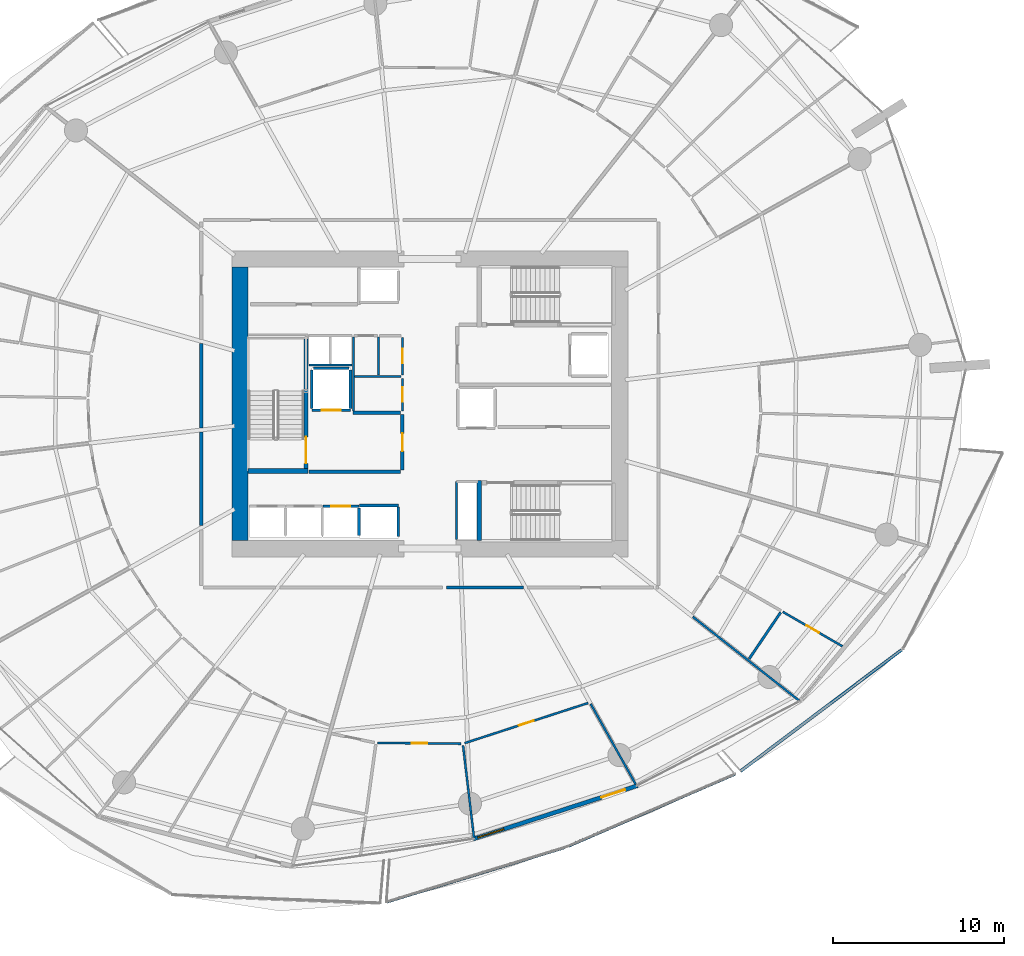
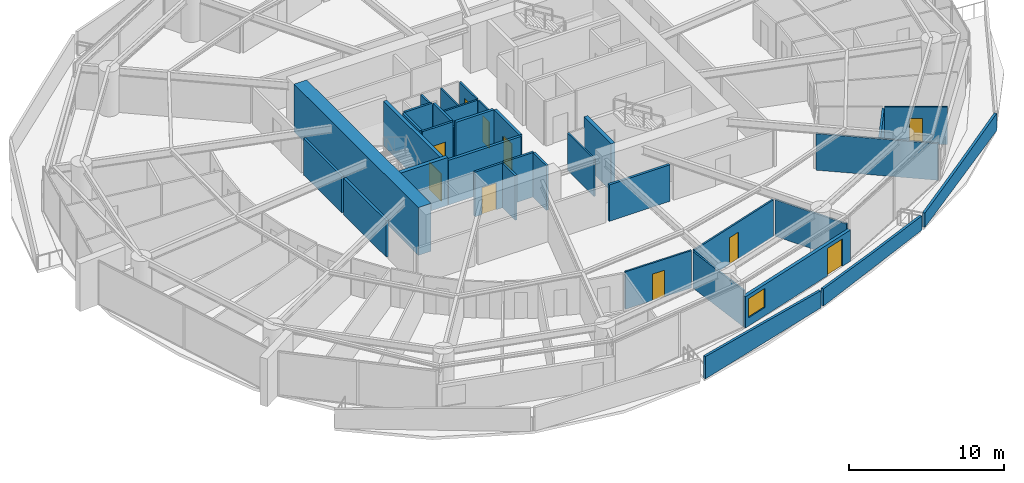
# One storey, part 20 of 31: 36 walls, 10 doors, 1 window, 11 openings.
"""IFC4 building model written with IfcOpenShell, lengths in metres."""

from ifc_helpers import new_model, si_unit, direction, frame, frame_2d, origin, place, context, subcontext, project, spatial, polyline, rectangle, outline, extrude, material, layer, layer_set, type_object, element, fill, save


model = new_model("IFC4")

# Units and contexts
model_context = context("Model", 3, precision=1e-05, world=origin(), true_north=direction((0.0, 1.0)))
body_context = subcontext(model_context, "Body", "Model", "MODEL_VIEW")
ifc_project = project(units=[si_unit("LENGTHUNIT", "METRE"), si_unit("AREAUNIT", "SQUARE_METRE"), si_unit("VOLUMEUNIT", "CUBIC_METRE"), si_unit("PLANEANGLEUNIT", "RADIAN"), si_unit("MASSUNIT", "GRAM", prefix="KILO")], contexts=[model_context])

# Site, building, storey
site_placement = place(None, origin())
site = spatial("IfcSite", under=ifc_project, at=site_placement, CompositionType="ELEMENT")
building_placement = place(site_placement, origin())
building = spatial("IfcBuilding", under=site, at=building_placement, Name="Kazma Halo Residences", CompositionType="ELEMENT")
storey_placement = place(building_placement, frame((0.0, 0.0, 52.64990234375)))
storey = spatial("IfcBuildingStorey", under=building, at=storey_placement, Name="L12", CompositionType="ELEMENT", Elevation=52.64990234375)

# Walls
ifc_material_1 = material(Name="White Concrete C50/60 Balustrade", Category="concrete")
ifc_layer_1 = layer(ifc_material_1, 0.179931640625)
ifc_layer_set_1 = layer_set([ifc_layer_1], Name="White Concrete C50/60 Balustrade")
wall_type_1 = type_object("IfcWallType", Name="WL-BAL-WAVE-180", PredefinedType="PARAPET", material=ifc_layer_set_1)
wall_1_placement = place(storey_placement, frame((45.8857421875, 12.860107421875, 0.0), z_axis=(0.0, 0.0, 1.0), x_axis=(0.956262130287, 0.292511090695, 0.0)))
element("IfcWall", 1, at=wall_1_placement, inside=storey, type_object=wall_type_1, Name="L12 white wave balustrade wall SSE.1", PredefinedType="PARAPET", context=body_context, shape_type="SweptSolid", body=[
    extrude(outline(polyline([(0.0, 0.0), (10.89697265625, 0.0), (10.897216796875, 1.34814453125), (5.448486328125, 1.56201171875), (0.0, 1.7470703125), (0.0, 0.0)])), frame((0.0, 0.08984375, 0.0), z_axis=(0.0, -1.0, 0.0), x_axis=(1.0, 0.0, 0.0)), (0.0, 0.0, 1.0), 0.179931640625),
])
wall_2_placement = place(storey_placement, frame((56.531005859375, 16.13037109375, 0.0), z_axis=(0.0, 0.0, 1.0), x_axis=(0.91788240727, 0.396852474384, 0.0)))
element("IfcWall", 2, at=wall_2_placement, inside=storey, type_object=wall_type_1, Name="L12 white wave balustrade wall SSE.2", PredefinedType="PARAPET", context=body_context, shape_type="SweptSolid", body=[
    extrude(outline(polyline([(0.0, 0.0), (10.61083984375, 0.0), (10.61083984375, 1.1201171875), (5.305419921875, 1.18212890625), (0.0, 1.34814453125), (0.0, 0.0)])), frame((0.0, 0.08984375, 0.0), z_axis=(0.0, -1.0, 0.0), x_axis=(1.0, 0.0, 0.0)), (0.0, 0.0, 1.0), 0.179931640625),
])
wall_3_placement = place(storey_placement, frame((66.586669921875, 20.505126953125, 0.0), z_axis=(0.0, 0.0, 1.0), x_axis=(0.798916487869, 0.601441971773, 0.0)))
element("IfcWall", 3, at=wall_3_placement, inside=storey, type_object=wall_type_1, Name="L12 white wave balustrade wall SE.1", PredefinedType="PARAPET", context=body_context, shape_type="SweptSolid", body=[
    extrude(outline(polyline([(0.0, 0.0), (11.802978515625, 0.0), (11.802978515625, 1.34814453125), (5.901611328125, 1.18212890625), (0.0, 1.1201171875), (0.0, 0.0)])), frame((0.0, 0.08984375, 0.0), z_axis=(0.0, -1.0, 0.0), x_axis=(1.0, 0.0, 0.0)), (0.0, 0.0, 1.0), 0.179931640625),
])
ifc_material_2 = material(Name="Concrete C80/95", Category="concrete")
ifc_layer_2 = layer(ifc_material_2, 0.949951171875)
ifc_layer_set_2 = layer_set([ifc_layer_2], Name="Concrete C80/95")
wall_type_2 = type_object("IfcWallType", Name="WL-CORE-950", PredefinedType="SHEAR", material=ifc_layer_set_2)
wall_4_placement = place(storey_placement, frame((37.324951171875, 34.0, 0.0), z_axis=(0.0, 0.0, 1.0), x_axis=(0.0, 1.0, 0.0)))
element("IfcWall", 4, at=wall_4_placement, inside=storey, type_object=wall_type_2, Name="L12 central core shear wall W", PredefinedType="SHEAR", context=body_context, shape_type="SweptSolid", body=[
    extrude(rectangle(XDim=16.0, YDim=0.949951171875, at=frame_2d((8.0, 0.0))), origin(), (0.0, 0.0, 1.0), 3.75),
])
ifc_material_3 = material(Name="Concrete C60/75", Category="concrete")
ifc_layer_3 = layer(ifc_material_3, 0.280029296875)
ifc_layer_set_3 = layer_set([ifc_layer_3], Name="Concrete C60/75")
wall_type_3 = type_object("IfcWallType", Name="WL-CORE-ST-280", PredefinedType="SHEAR", material=ifc_layer_set_3)
for number, where, z_axis, x_axis, name in (
    (5, (37.800048828125, 38.06005859375, 0.0), (0.0, 0.0, 1.0), (1.0, 0.0, 0.0), "L12 stairwell bearing wall ST01-S"),
    (6, (51.31005859375, 34.0, 0.0), (0.0, 0.0, 1.0), (0.0, 1.0, 0.0), "L12 stairwell bearing wall ST03-W"),
):
    element("IfcWall", number, at=place(storey_placement, frame(where, z_axis=z_axis, x_axis=x_axis)), inside=storey, type_object=wall_type_3, Name=name, PredefinedType="SHEAR", context=body_context, shape_type="SweptSolid", body=[
        extrude(rectangle(XDim=3.5, YDim=0.280029296875, at=frame_2d((1.75, 0.0))), origin(), (0.0, 0.0, 1.0), 3.75),
    ])
ifc_material_4 = material(Name="Acoustic Twin-Stud Gypsum")
ifc_layer_4 = layer(ifc_material_4, 0.179931640625)
ifc_layer_set_4 = layer_set([ifc_layer_4], Name="Acoustic Twin-Stud Gypsum")
wall_type_4 = type_object("IfcWallType", Name="WL-DEM-180", PredefinedType="PARTITIONING", material=ifc_layer_set_4)
wall_5_placement = place(storey_placement, frame((35.050048828125, 45.5322265625, 0.0), z_axis=(0.0, 0.0, 1.0), x_axis=(0.0, -1.0, 0.0)))
element("IfcWall", 7, at=wall_5_placement, inside=storey, type_object=wall_type_4, Name="L12 Apartment 2 inner wall 6", PredefinedType="PARTITIONING", context=body_context, shape_type="SweptSolid", body=[
    extrude(rectangle(XDim=4.94482421875, YDim=0.179931640625, at=frame_2d((2.472412109375, 0.0))), origin(), (0.0, 0.0, 1.0), 2.8671875),
])
wall_6_placement = place(storey_placement, frame((35.050048828125, 40.347412109375, 0.0), z_axis=(0.0, 0.0, 1.0), x_axis=(0.0, -1.0, 0.0)))
element("IfcWall", 8, at=wall_6_placement, inside=storey, type_object=wall_type_4, Name="L12 Apartment 2 inner wall 7", PredefinedType="PARTITIONING", context=body_context, shape_type="SweptSolid", body=[
    extrude(rectangle(XDim=5.479736328125, YDim=0.179931640625, at=frame_2d((2.73974609375, 0.0))), origin(), (0.0, 0.0, 1.0), 2.8671875),
])
wall_7_placement = place(storey_placement, frame((49.392333984375, 31.25, 0.0), z_axis=(0.0, 0.0, 1.0), x_axis=(1.0, 0.0, 0.0)))
element("IfcWall", 9, at=wall_7_placement, inside=storey, type_object=wall_type_4, Name="L12 Apartment 3 inner wall 11", PredefinedType="PARTITIONING", context=body_context, shape_type="SweptSolid", body=[
    extrude(rectangle(XDim=4.508056640625, YDim=0.179931640625, at=frame_2d((2.25390625, 0.0))), origin(), (0.0, 0.0, 1.0), 2.8671875),
])

# Wall, openings, door, window
ifc_material_5 = material(Name="Insulated Pale-Metal Composite Wall")
ifc_layer_5 = layer(ifc_material_5, 0.239990234375)
ifc_layer_set_5 = layer_set([ifc_layer_5], Name="Insulated Pale-Metal Composite Wall")
wall_type_5 = type_object("IfcWallType", Name="WL-EXT-HOST-240", PredefinedType="SOLIDWALL", material=ifc_layer_set_5)
wall_8_placement = place(storey_placement, frame((50.9638671875, 16.54150390625, 0.0), z_axis=(0.0, 0.0, 1.0), x_axis=(0.951054679225, 0.309022648238, 0.0)))
wall_8 = element("IfcWall", 10, at=wall_8_placement, inside=storey, type_object=wall_type_5, Name="L12 exterior terrace-access wall B12", PredefinedType="SOLIDWALL", context=body_context, shape_type="SweptSolid", body=[
    extrude(rectangle(XDim=10.0966796875, YDim=0.239990234375, at=frame_2d((5.04833984375, 0.0))), origin(), (0.0, 0.0, 1.0), 2.4501953125),
])
opening_1_placement = place(wall_8_placement, frame((7.876708984375, 0.0, 0.0)))
opening_1 = element("IfcOpeningElement", 11, at=opening_1_placement, cuts=wall_8, Name="Opening DTR-1600", PredefinedType="OPENING", context=body_context, shape_type="SweptSolid", body=[
    extrude(rectangle(XDim=1.449951171875, YDim=2.14990234375, at=frame_2d((0.72509765625, 1.074951171875))), frame((0.0, 0.1298828125, 0.0), z_axis=(0.0, -1.0, 0.0), x_axis=(1.0, 0.0, 0.0)), (0.0, 0.0, 1.0), 0.260009765625),
])
opening_2_placement = place(wall_8_placement, frame((0.280029296875, 0.0, 0.64990234375)))
opening_2 = element("IfcOpeningElement", 12, at=opening_2_placement, cuts=wall_8, Name="Opening W-1800", PredefinedType="OPENING", context=body_context, shape_type="SweptSolid", body=[
    extrude(rectangle(XDim=1.60009765625, YDim=1.5, at=frame_2d((0.800048828125, 0.75))), frame((0.0, 0.1298828125, 0.0), z_axis=(0.0, -1.0, 0.0), x_axis=(1.0, 0.0, 0.0)), (0.0, 0.0, 1.0), 0.260009765625),
])
ifc_material_6 = material(Name="Aluminium AW-6063 T6 Double-Glazed Terrace Door", Category="aluminium")
door_type_1 = type_object("IfcDoorType", Name="DR-EXT-TERR-1600", OperationType="NOTDEFINED", PredefinedType="DOOR", material=ifc_material_6)
door_1_placement = place(opening_1_placement, origin())
door_1 = element("IfcDoor", 13, at=door_1_placement, inside=storey, type_object=door_type_1, Name="L12 B12 balcony terrace door", OperationType="DOUBLE_DOOR_SLIDING", OverallHeight=2.14990234375, OverallWidth=1.449951171875, PredefinedType="DOOR", context=body_context, shape_type="SweptSolid", body=[
    extrude(rectangle(XDim=1.449951171875, YDim=2.14990234375, at=frame_2d((0.72509765625, 1.074951171875))), frame((0.0, 0.02490234375, 0.0), z_axis=(0.0, -1.0, 0.0), x_axis=(1.0, 0.0, 0.0)), (0.0, 0.0, 1.0), 0.050048828125),
])
fill(opening_1, door_1)
ifc_material_7 = material(Name="Clear Triple-Silver Low-E Glass in Aluminium AW-6063 T6 Frame", Category="aluminium")
window_type = type_object("IfcWindowType", Name="WIN-RES-1800", PartitioningType="DOUBLE_PANEL_VERTICAL", PredefinedType="WINDOW", material=ifc_material_7)
window_placement = place(opening_2_placement, origin())
window = element("IfcWindow", 14, at=window_placement, inside=storey, type_object=window_type, Name="L12 B12 apartment window", OverallHeight=1.5, OverallWidth=1.60009765625, PartitioningType="SINGLE_PANEL", PredefinedType="WINDOW", context=body_context, shape_type="SweptSolid", body=[
    extrude(rectangle(XDim=1.60009765625, YDim=1.5, at=frame_2d((0.800048828125, 0.75))), frame((0.0, 0.030029296875, 0.0), z_axis=(0.0, -1.0, 0.0), x_axis=(1.0, 0.0, 0.0)), (0.0, 0.0, 1.0), 0.06005859375),
])
fill(opening_2, window)

# Wall, opening, door
ifc_material_8 = material(Name="Fire-Rated Blockwork Masonry", Category="masonry")
ifc_layer_6 = layer(ifc_material_8, 0.199951171875)
ifc_layer_set_6 = layer_set([ifc_layer_6], Name="Fire-Rated Blockwork Masonry")
wall_type_6 = type_object("IfcWallType", Name="WL-FLB-200", PredefinedType="PARTITIONING", material=ifc_layer_set_6)
wall_9_placement = place(storey_placement, frame((42.1650390625, 36.0048828125, 0.0), z_axis=(0.0, 0.0, 1.0), x_axis=(1.0, 0.0, 0.0)))
wall_9 = element("IfcWall", 15, at=wall_9_placement, inside=storey, type_object=wall_type_6, Name="L12 lift shaft PL-03 front wall", PredefinedType="PARTITIONING", context=body_context, shape_type="SweptSolid", body=[
    extrude(rectangle(XDim=2.10986328125, YDim=0.159912109375, at=frame_2d((1.054931640625, 0.0))), origin(), (0.0, 0.0, 1.0), 3.5),
])
opening_3_placement = place(wall_9_placement, frame((0.5048828125, 0.0, 0.0)))
opening_3 = element("IfcOpeningElement", 16, at=opening_3_placement, cuts=wall_9, Name="Opening LD-PL-03", PredefinedType="OPENING", context=body_context, shape_type="SweptSolid", body=[
    extrude(rectangle(XDim=1.10009765625, YDim=2.10009765625, at=frame_2d((0.550048828125, 1.050048828125))), frame((0.0, 0.08984375, 0.0), z_axis=(0.0, -1.0, 0.0), x_axis=(1.0, 0.0, 0.0)), (0.0, 0.0, 1.0), 0.179931640625),
])
ifc_material_9 = material(Name="Stainless Steel Fire-Rated", Category="steel")
door_type_2 = type_object("IfcDoorType", Name="DR-LIFT-SLD-1100", OperationType="DOUBLE_DOOR_SLIDING", PredefinedType="DOOR", material=ifc_material_9)
door_2_placement = place(opening_3_placement, origin())
door_2 = element("IfcDoor", 17, at=door_2_placement, inside=storey, type_object=door_type_2, Name="L12 lift PL-03 sliding landing door", OperationType="DOUBLE_DOOR_SLIDING", OverallHeight=2.10009765625, OverallWidth=1.10009765625, PredefinedType="DOOR", context=body_context, shape_type="SweptSolid", body=[
    extrude(rectangle(XDim=1.10009765625, YDim=2.10009765625, at=frame_2d((0.550048828125, 1.050048828125))), frame((0.0, 0.02490234375, 0.0), z_axis=(0.0, -1.0, 0.0), x_axis=(1.0, 0.0, 0.0)), (0.0, 0.0, 1.0), 0.050048828125),
])
fill(opening_3, door_2)

# Walls
wall_10_placement = place(storey_placement, frame((44.27490234375, 34.294921875, 0.0), z_axis=(0.0, 0.0, 1.0), x_axis=(0.0, 1.0, 0.0)))
element("IfcWall", 18, at=wall_10_placement, inside=storey, type_object=wall_type_6, Name="L12 lift shaft PL-03 side wall E", PredefinedType="PARTITIONING", context=body_context, shape_type="SweptSolid", body=[
    extrude(rectangle(XDim=1.610107421875, YDim=0.159912109375, at=frame_2d((0.80517578125, 0.0))), origin(), (0.0, 0.0, 1.0), 3.5),
])
wall_11_placement = place(storey_placement, frame((44.320068359375, 36.054931640625, 0.0), z_axis=(0.0, 0.0, 1.0), x_axis=(1.0, 0.0, 0.0)))
element("IfcWall", 19, at=wall_11_placement, inside=storey, type_object=wall_type_6, Name="L12 lift shaft PX-02 front wall", PredefinedType="PARTITIONING", context=body_context, shape_type="SweptSolid", body=[
    extrude(rectangle(XDim=2.260009765625, YDim=0.159912109375, at=frame_2d((1.1298828125, 0.0))), origin(), (0.0, 0.0, 1.0), 3.5),
])
wall_12_placement = place(storey_placement, frame((46.580078125, 34.2451171875, 0.0), z_axis=(0.0, 0.0, 1.0), x_axis=(0.0, 1.0, 0.0)))
element("IfcWall", 20, at=wall_12_placement, inside=storey, type_object=wall_type_6, Name="L12 lift shaft PX-02 side wall E", PredefinedType="PARTITIONING", context=body_context, shape_type="SweptSolid", body=[
    extrude(rectangle(XDim=1.7099609375, YDim=0.159912109375, at=frame_2d((0.85498046875, 0.0))), origin(), (0.0, 0.0, 1.0), 3.5),
])

# Wall, opening, door
wall_13_placement = place(storey_placement, frame((43.780029296875, 41.6201171875, 0.0), z_axis=(0.0, 0.0, 1.0), x_axis=(-1.0, 0.0, 0.0)))
wall_13 = element("IfcWall", 21, at=wall_13_placement, inside=storey, type_object=wall_type_6, Name="L12 lift shaft FL-01 front wall", PredefinedType="PARTITIONING", context=body_context, shape_type="SweptSolid", body=[
    extrude(rectangle(XDim=2.260009765625, YDim=0.159912109375, at=frame_2d((1.1298828125, 0.0))), origin(), (0.0, 0.0, 1.0), 3.5),
])
opening_4_placement = place(wall_13_placement, frame((0.580078125, 0.0, 0.0)))
opening_4 = element("IfcOpeningElement", 22, at=opening_4_placement, cuts=wall_13, Name="Opening LD-FL-01", PredefinedType="OPENING", context=body_context, shape_type="SweptSolid", body=[
    extrude(rectangle(XDim=1.10009765625, YDim=2.10009765625, at=frame_2d((0.550048828125, 1.050048828125))), frame((0.0, 0.08984375, 0.0), z_axis=(0.0, -1.0, 0.0), x_axis=(1.0, 0.0, 0.0)), (0.0, 0.0, 1.0), 0.179931640625),
])
door_3_placement = place(opening_4_placement, origin())
door_3 = element("IfcDoor", 23, at=door_3_placement, inside=storey, type_object=door_type_2, Name="L12 lift FL-01 sliding landing door", OperationType="DOUBLE_DOOR_SLIDING", OverallHeight=2.10009765625, OverallWidth=1.10009765625, PredefinedType="DOOR", context=body_context, shape_type="SweptSolid", body=[
    extrude(rectangle(XDim=1.10009765625, YDim=2.10009765625, at=frame_2d((0.550048828125, 1.050048828125))), frame((0.0, 0.02490234375, 0.0), z_axis=(0.0, -1.0, 0.0), x_axis=(1.0, 0.0, 0.0)), (0.0, 0.0, 1.0), 0.050048828125),
])
fill(opening_4, door_3)

# Walls
for number, where, z_axis, x_axis, name in (
    (24, (43.780029296875, 41.719970703125, 0.0), (0.0, 0.0, 1.0), (0.0, 1.0, 0.0), "L12 lift shaft FL-01 side wall E"),
    (25, (41.52001953125, 41.719970703125, 0.0), (0.0, 0.0, 1.0), (0.0, 1.0, 0.0), "L12 lift shaft FL-01 side wall W"),
):
    element("IfcWall", number, at=place(storey_placement, frame(where, z_axis=z_axis, x_axis=x_axis)), inside=storey, type_object=wall_type_6, Name=name, PredefinedType="PARTITIONING", context=body_context, shape_type="SweptSolid", body=[
        extrude(rectangle(XDim=2.260009765625, YDim=0.159912109375, at=frame_2d((1.1298828125, 0.0))), origin(), (0.0, 0.0, 1.0), 3.5),
    ])
wall_14_placement = place(storey_placement, frame((41.6201171875, 44.080078125, 0.0), z_axis=(0.0, 0.0, 1.0), x_axis=(1.0, 0.0, 0.0)))
element("IfcWall", 26, at=wall_14_placement, inside=storey, type_object=wall_type_6, Name="L12 lift shaft FL-01 side wall N", PredefinedType="PARTITIONING", context=body_context, shape_type="SweptSolid", body=[
    extrude(rectangle(XDim=2.059814453125, YDim=0.159912109375, at=frame_2d((1.02978515625, 0.0))), origin(), (0.0, 0.0, 1.0), 3.5),
])
wall_15_placement = place(storey_placement, frame((41.35009765625, 38.02001953125, 0.0), z_axis=(0.0, 0.0, 1.0), x_axis=(1.0, 0.0, 0.0)))
element("IfcWall", 27, at=wall_15_placement, inside=storey, type_object=wall_type_6, Name="L12 west firefighting lobby south smoke wall", PredefinedType="PARTITIONING", context=body_context, shape_type="SweptSolid", body=[
    extrude(rectangle(XDim=5.369873046875, YDim=0.199951171875, at=frame_2d((2.68505859375, 0.0))), origin(), (0.0, 0.0, 1.0), 3.5),
])
wall_16_placement = place(storey_placement, frame((43.919921875, 41.47998046875, 0.0), z_axis=(0.0, 0.0, 1.0), x_axis=(1.0, 0.0, 0.0)))
element("IfcWall", 28, at=wall_16_placement, inside=storey, type_object=wall_type_6, Name="L12 west firefighting lobby north smoke wall", PredefinedType="PARTITIONING", context=body_context, shape_type="SweptSolid", body=[
    extrude(rectangle(XDim=2.800048828125, YDim=0.199951171875, at=frame_2d((1.39990234375, 0.0))), origin(), (0.0, 0.0, 1.0), 3.5),
])

# Wall, opening, door
wall_17_placement = place(storey_placement, frame((46.820068359375, 38.1201171875, 0.0), z_axis=(0.0, 0.0, 1.0), x_axis=(0.0, 1.0, 0.0)))
wall_17 = element("IfcWall", 29, at=wall_17_placement, inside=storey, type_object=wall_type_6, Name="L12 west firefighting lobby smoke wall", PredefinedType="PARTITIONING", context=body_context, shape_type="SweptSolid", body=[
    extrude(rectangle(XDim=3.259765625, YDim=0.199951171875, at=frame_2d((1.6298828125, 0.0))), origin(), (0.0, 0.0, 1.0), 3.5),
])
opening_5_placement = place(wall_17_placement, frame((1.10498046875, 0.0, 0.0)))
opening_5 = element("IfcOpeningElement", 30, at=opening_5_placement, cuts=wall_17, Name="Opening D-FLW", PredefinedType="OPENING", context=body_context, shape_type="SweptSolid", body=[
    extrude(rectangle(XDim=1.050048828125, YDim=2.10009765625, at=frame_2d((0.52490234375, 1.050048828125))), frame((0.0, 0.10986328125, 0.0), z_axis=(0.0, -1.0, 0.0), x_axis=(1.0, 0.0, 0.0)), (0.0, 0.0, 1.0), 0.219970703125),
])
ifc_material_10 = material(Name="Fire-Rated Steel Leaf", Category="steel")
door_type_3 = type_object("IfcDoorType", Name="DR-FD90-1050", OperationType="NOTDEFINED", PredefinedType="DOOR", material=ifc_material_10)
door_4_placement = place(opening_5_placement, origin())
door_4 = element("IfcDoor", 31, at=door_4_placement, inside=storey, type_object=door_type_3, Name="L12 west firefighting lobby smoke door", OperationType="SINGLE_SWING_LEFT", OverallHeight=2.10009765625, OverallWidth=1.050048828125, PredefinedType="DOOR", context=body_context, shape_type="SweptSolid", body=[
    extrude(rectangle(XDim=1.050048828125, YDim=2.10009765625, at=frame_2d((0.52490234375, 1.050048828125))), frame((0.0, 0.02490234375, 0.0), z_axis=(0.0, -1.0, 0.0), x_axis=(1.0, 0.0, 0.0)), (0.0, 0.0, 1.0), 0.050048828125),
])
fill(opening_5, door_4)

# Walls
ifc_material_11 = material(Name="Gypsum Plasterboard Partition")
ifc_layer_7 = layer(ifc_material_11, 0.125)
ifc_layer_set_7 = layer_set([ifc_layer_7], Name="Gypsum Plasterboard Partition")
wall_type_7 = type_object("IfcWallType", Name="WL-PART-125", PredefinedType="PARTITIONING", material=ifc_layer_set_7)
wall_18_placement = place(storey_placement, frame((41.360107421875, 44.260009765625, 0.0), z_axis=(0.0, 0.0, 1.0), x_axis=(1.0, 0.0, 0.0)))
element("IfcWall", 32, at=wall_18_placement, inside=storey, type_object=wall_type_7, Name="L12 core riser south wall", PredefinedType="PARTITIONING", context=body_context, shape_type="SweptSolid", body=[
    extrude(rectangle(XDim=2.5, YDim=0.125, at=frame_2d((1.25, 0.0))), origin(), (0.0, 0.0, 1.0), 2.940185546875),
])
wall_19_placement = place(storey_placement, frame((49.97998046875, 34.06005859375, 0.0), z_axis=(0.0, 0.0, 1.0), x_axis=(0.0, 1.0, 0.0)))
element("IfcWall", 33, at=wall_19_placement, inside=storey, type_object=wall_type_7, Name="L12 standpipe riser wall", PredefinedType="PARTITIONING", context=body_context, shape_type="SweptSolid", body=[
    extrude(rectangle(XDim=3.39990234375, YDim=0.125, at=frame_2d((1.699951171875, 0.0))), origin(), (0.0, 0.0, 1.0), 2.940185546875),
])
wall_20_placement = place(storey_placement, frame((43.949951171875, 41.580078125, 0.0), z_axis=(0.0, 0.0, 1.0), x_axis=(0.0, 1.0, 0.0)))
element("IfcWall", 34, at=wall_20_placement, inside=storey, type_object=wall_type_7, Name="L12 core service west wall", PredefinedType="PARTITIONING", context=body_context, shape_type="SweptSolid", body=[
    extrude(rectangle(XDim=4.31982421875, YDim=0.125, at=frame_2d((2.159912109375, 0.0))), origin(), (0.0, 0.0, 1.0), 2.940185546875),
])
wall_21_placement = place(storey_placement, frame((44.030029296875, 43.590087890625, 0.0), z_axis=(0.0, 0.0, 1.0), x_axis=(1.0, 0.0, 0.0)))
element("IfcWall", 35, at=wall_21_placement, inside=storey, type_object=wall_type_7, Name="L12 core service horiz divider", PredefinedType="PARTITIONING", context=body_context, shape_type="SweptSolid", body=[
    extrude(rectangle(XDim=2.7099609375, YDim=0.125, at=frame_2d((1.35498046875, 0.0))), origin(), (0.0, 0.0, 1.0), 2.940185546875),
])
wall_22_placement = place(storey_placement, frame((45.409912109375, 43.669921875, 0.0), z_axis=(0.0, 0.0, 1.0), x_axis=(0.0, 1.0, 0.0)))
element("IfcWall", 36, at=wall_22_placement, inside=storey, type_object=wall_type_7, Name="L12 core service vert divider", PredefinedType="PARTITIONING", context=body_context, shape_type="SweptSolid", body=[
    extrude(rectangle(XDim=2.22998046875, YDim=0.125, at=frame_2d((1.114990234375, 0.0))), origin(), (0.0, 0.0, 1.0), 2.940185546875),
])

# Wall, opening, door
wall_23_placement = place(storey_placement, frame((46.820068359375, 41.580078125, 0.0), z_axis=(0.0, 0.0, 1.0), x_axis=(0.0, 1.0, 0.0)))
wall_23 = element("IfcWall", 37, at=wall_23_placement, inside=storey, type_object=wall_type_7, Name="L12 refuse room east wall", PredefinedType="PARTITIONING", context=body_context, shape_type="SweptSolid", body=[
    extrude(rectangle(XDim=1.909912109375, YDim=0.125, at=frame_2d((0.955078125, 0.0))), origin(), (0.0, 0.0, 1.0), 2.940185546875),
])
opening_6_placement = place(wall_23_placement, frame((0.530029296875, 0.0, 0.0)))
opening_6 = element("IfcOpeningElement", 38, at=opening_6_placement, cuts=wall_23, Name="Opening DS-850", PredefinedType="OPENING", context=body_context, shape_type="SweptSolid", body=[
    extrude(rectangle(XDim=0.85009765625, YDim=2.06005859375, at=frame_2d((0.425048828125, 1.030029296875))), frame((0.0, 0.072509765625, 0.0), z_axis=(0.0, -1.0, 0.0), x_axis=(1.0, 0.0, 0.0)), (0.0, 0.0, 1.0), 0.14501953125),
])
ifc_material_12 = material(Name="Painted Steel Access Leaf", Category="steel")
door_type_4 = type_object("IfcDoorType", Name="DR-SVC-850", OperationType="NOTDEFINED", PredefinedType="DOOR", material=ifc_material_12)
door_5_placement = place(opening_6_placement, origin())
door_5 = element("IfcDoor", 39, at=door_5_placement, inside=storey, type_object=door_type_4, Name="L12 refuse room door", OperationType="SINGLE_SWING_LEFT", OverallHeight=2.06005859375, OverallWidth=0.85009765625, PredefinedType="DOOR", context=body_context, shape_type="SweptSolid", body=[
    extrude(rectangle(XDim=0.85009765625, YDim=2.06005859375, at=frame_2d((0.425048828125, 1.030029296875))), frame((0.0, 0.02490234375, 0.0), z_axis=(0.0, -1.0, 0.0), x_axis=(1.0, 0.0, 0.0)), (0.0, 0.0, 1.0), 0.050048828125),
])
fill(opening_6, door_5)

wall_24_placement = place(storey_placement, frame((46.820068359375, 43.68994140625, 0.0), z_axis=(0.0, 0.0, 1.0), x_axis=(0.0, 1.0, 0.0)))
wall_24 = element("IfcWall", 40, at=wall_24_placement, inside=storey, type_object=wall_type_7, Name="L12 sub-metering east wall", PredefinedType="PARTITIONING", context=body_context, shape_type="SweptSolid", body=[
    extrude(rectangle(XDim=2.18994140625, YDim=0.125, at=frame_2d((1.094970703125, 0.0))), origin(), (0.0, 0.0, 1.0), 2.940185546875),
])
opening_7_placement = place(wall_24_placement, frame((0.669921875, 0.0, 0.0)))
opening_7 = element("IfcOpeningElement", 41, at=opening_7_placement, cuts=wall_24, Name="Opening DS-850", PredefinedType="OPENING", context=body_context, shape_type="SweptSolid", body=[
    extrude(rectangle(XDim=0.85009765625, YDim=2.06005859375, at=frame_2d((0.425048828125, 1.030029296875))), frame((0.0, 0.072509765625, 0.0), z_axis=(0.0, -1.0, 0.0), x_axis=(1.0, 0.0, 0.0)), (0.0, 0.0, 1.0), 0.14501953125),
])
door_6_placement = place(opening_7_placement, origin())
door_6 = element("IfcDoor", 42, at=door_6_placement, inside=storey, type_object=door_type_4, Name="L12 sub-metering door", OperationType="SINGLE_SWING_RIGHT", OverallHeight=2.06005859375, OverallWidth=0.85009765625, PredefinedType="DOOR", context=body_context, shape_type="SweptSolid", body=[
    extrude(rectangle(XDim=0.85009765625, YDim=2.06005859375, at=frame_2d((0.425048828125, 1.030029296875))), frame((0.0, 0.02490234375, 0.0), z_axis=(0.0, -1.0, 0.0), x_axis=(1.0, 0.0, 0.0)), (0.0, 0.0, 1.0), 0.050048828125),
])
fill(opening_7, door_6)

wall_25_placement = place(storey_placement, frame((45.3623046875, 22.162841796875, 0.0), z_axis=(0.0, 0.0, 1.0), x_axis=(0.999955503148, -0.009433542483, 0.0)))
wall_25 = element("IfcWall", 43, at=wall_25_placement, inside=storey, type_object=wall_type_7, Name="L12 Apartment 3 Gourmet Kitchen hall wall", PredefinedType="PARTITIONING", context=body_context, shape_type="SweptSolid", body=[
    extrude(rectangle(XDim=4.891357421875, YDim=0.125, at=frame_2d((2.44580078125, 0.0))), origin(), (0.0, 0.0, 1.0), 2.940185546875),
])
opening_8_placement = place(wall_25_placement, frame((1.995849609375, 0.0, 0.0)))
opening_8 = element("IfcOpeningElement", 44, at=opening_8_placement, cuts=wall_25, Name="Opening DI-950", PredefinedType="OPENING", context=body_context, shape_type="SweptSolid", body=[
    extrude(rectangle(XDim=0.89990234375, YDim=2.080078125, at=frame_2d((0.449951171875, 1.0400390625))), frame((0.0, 0.072509765625, 0.0), z_axis=(0.0, -1.0, 0.0), x_axis=(1.0, 0.0, 0.0)), (0.0, 0.0, 1.0), 0.14501953125),
])
ifc_material_13 = material(Name="Timber Veneer Flush Leaf", Category="wood")
door_type_5 = type_object("IfcDoorType", Name="DR-INT-950", OperationType="NOTDEFINED", PredefinedType="DOOR", material=ifc_material_13)
door_7_placement = place(opening_8_placement, origin())
door_7 = element("IfcDoor", 45, at=door_7_placement, inside=storey, type_object=door_type_5, Name="L12 Apartment 3 Gourmet Kitchen door", OperationType="SINGLE_SWING_LEFT", OverallHeight=2.080078125, OverallWidth=0.89990234375, PredefinedType="DOOR", context=body_context, shape_type="SweptSolid", body=[
    extrude(rectangle(XDim=0.89990234375, YDim=2.080078125, at=frame_2d((0.449951171875, 1.0400390625))), frame((0.0, 0.02490234375, 0.0), z_axis=(0.0, -1.0, 0.0), x_axis=(1.0, 0.0, 0.0)), (0.0, 0.0, 1.0), 0.050048828125),
])
fill(opening_8, door_7)

# Walls
wall_26_placement = place(storey_placement, frame((50.365234375, 22.0166015625, 0.0), z_axis=(0.0, 0.0, 1.0), x_axis=(0.117503830854, -0.993072429249, 0.0)))
element("IfcWall", 46, at=wall_26_placement, inside=storey, type_object=wall_type_7, Name="L12 Apartment 3 radial partition 11", PredefinedType="PARTITIONING", context=body_context, shape_type="SweptSolid", body=[
    extrude(rectangle(XDim=5.47265625, YDim=0.125, at=frame_2d((2.736328125, 0.0))), origin(), (0.0, 0.0, 1.0), 2.8671875),
])
wall_27_placement = place(storey_placement, frame((57.83251953125, 24.44287109375, 0.0), z_axis=(0.0, 0.0, 1.0), x_axis=(0.488618589391, -0.872497492318, 0.0)))
element("IfcWall", 47, at=wall_27_placement, inside=storey, type_object=wall_type_7, Name="L12 Apartment 3 living radial partition 11", PredefinedType="PARTITIONING", context=body_context, shape_type="SweptSolid", body=[
    extrude(rectangle(XDim=5.372802734375, YDim=0.125, at=frame_2d((2.6865234375, 0.0))), origin(), (0.0, 0.0, 1.0), 2.8671875),
])

# Wall, opening, door
wall_28_placement = place(storey_placement, frame((50.4580078125, 22.14990234375, 0.0), z_axis=(0.0, 0.0, 1.0), x_axis=(0.951061002784, 0.309003186042, 0.0)))
wall_28 = element("IfcWall", 48, at=wall_28_placement, inside=storey, type_object=wall_type_7, Name="L12 Apartment 3 East Master Bedroom gallery wall", PredefinedType="PARTITIONING", context=body_context, shape_type="SweptSolid", body=[
    extrude(rectangle(XDim=7.5927734375, YDim=0.125, at=frame_2d((3.79638671875, 0.0))), origin(), (0.0, 0.0, 1.0), 2.8671875),
])
opening_9_placement = place(wall_28_placement, frame((3.34619140625, 0.0, 0.0)))
opening_9 = element("IfcOpeningElement", 49, at=opening_9_placement, cuts=wall_28, Name="Opening DI-950", PredefinedType="OPENING", context=body_context, shape_type="SweptSolid", body=[
    extrude(rectangle(XDim=0.89990234375, YDim=2.080078125, at=frame_2d((0.449951171875, 1.0400390625))), frame((0.0, 0.072509765625, 0.0), z_axis=(0.0, -1.0, 0.0), x_axis=(1.0, 0.0, 0.0)), (0.0, 0.0, 1.0), 0.14501953125),
])
door_8_placement = place(opening_9_placement, origin())
door_8 = element("IfcDoor", 50, at=door_8_placement, inside=storey, type_object=door_type_5, Name="L12 Apartment 3 East Master Bedroom door", OperationType="SINGLE_SWING_RIGHT", OverallHeight=2.080078125, OverallWidth=0.89990234375, PredefinedType="DOOR", context=body_context, shape_type="SweptSolid", body=[
    extrude(rectangle(XDim=0.89990234375, YDim=2.080078125, at=frame_2d((0.449951171875, 1.0400390625))), frame((0.0, 0.02490234375, 0.0), z_axis=(0.0, -1.0, 0.0), x_axis=(1.0, 0.0, 0.0)), (0.0, 0.0, 1.0), 0.050048828125),
])
fill(opening_9, door_8)

# Wall
wall_29_placement = place(storey_placement, frame((63.802978515625, 29.5419921875, 0.0), z_axis=(0.0, 0.0, 1.0), x_axis=(0.785316547054, -0.619094436191, 0.0)))
element("IfcWall", 51, at=wall_29_placement, inside=storey, type_object=wall_type_7, Name="L12 Apartment 3 radial partition 13", PredefinedType="PARTITIONING", context=body_context, shape_type="SweptSolid", body=[
    extrude(rectangle(XDim=7.948974609375, YDim=0.125, at=frame_2d((3.974609375, 0.0))), origin(), (0.0, 0.0, 1.0), 2.8671875),
])

# Wall, opening, door
wall_30_placement = place(storey_placement, frame((69.06982421875, 29.827880859375, 0.0), z_axis=(0.0, 0.0, 1.0), x_axis=(0.865911782311, -0.500196746546, 0.0)))
wall_30 = element("IfcWall", 52, at=wall_30_placement, inside=storey, type_object=wall_type_7, Name="L12 Apartment 3 North Walk-In Wardrobe partition wall", PredefinedType="PARTITIONING", context=body_context, shape_type="SweptSolid", body=[
    extrude(rectangle(XDim=4.02490234375, YDim=0.125, at=frame_2d((2.012451171875, 0.0))), origin(), (0.0, 0.0, 1.0), 2.940185546875),
])
opening_10_placement = place(wall_30_placement, frame((1.58740234375, 0.0, 0.0)))
opening_10 = element("IfcOpeningElement", 53, at=opening_10_placement, cuts=wall_30, Name="Opening DB-900", PredefinedType="OPENING", context=body_context, shape_type="SweptSolid", body=[
    extrude(rectangle(XDim=0.85009765625, YDim=2.06005859375, at=frame_2d((0.425048828125, 1.030029296875))), frame((0.0, 0.072509765625, 0.0), z_axis=(0.0, -1.0, 0.0), x_axis=(1.0, 0.0, 0.0)), (0.0, 0.0, 1.0), 0.14501953125),
])
ifc_material_14 = material(Name="Moisture-Sealed Timber Leaf", Category="wood")
door_type_6 = type_object("IfcDoorType", Name="DR-BTH-900", OperationType="NOTDEFINED", PredefinedType="DOOR", material=ifc_material_14)
door_9_placement = place(opening_10_placement, origin())
door_9 = element("IfcDoor", 54, at=door_9_placement, inside=storey, type_object=door_type_6, Name="L12 Apartment 3 North Walk-In Wardrobe door", OperationType="SINGLE_SWING_LEFT", OverallHeight=2.06005859375, OverallWidth=0.85009765625, PredefinedType="DOOR", context=body_context, shape_type="SweptSolid", body=[
    extrude(rectangle(XDim=0.85009765625, YDim=2.06005859375, at=frame_2d((0.425048828125, 1.030029296875))), frame((0.0, 0.02490234375, 0.0), z_axis=(0.0, -1.0, 0.0), x_axis=(1.0, 0.0, 0.0)), (0.0, 0.0, 1.0), 0.050048828125),
])
fill(opening_10, door_9)

ifc_material_15 = material(Name="Concrete C50/60", Category="concrete")
ifc_layer_8 = layer(ifc_material_15, 0.25)
ifc_layer_set_8 = layer_set([ifc_layer_8], Name="Concrete C50/60")
wall_type_8 = type_object("IfcWallType", Name="WL-SHF-250", PredefinedType="SOLIDWALL", material=ifc_layer_set_8)
wall_31_placement = place(storey_placement, frame((41.179931640625, 38.219970703125, 0.0), z_axis=(0.0, 0.0, 1.0), x_axis=(0.0, 1.0, 0.0)))
wall_31 = element("IfcWall", 55, at=wall_31_placement, inside=storey, type_object=wall_type_8, Name="L12 exit stair ST-01 enclosure wall", PredefinedType="SOLIDWALL", context=body_context, shape_type="SweptSolid", body=[
    extrude(rectangle(XDim=7.56005859375, YDim=0.25, at=frame_2d((3.780029296875, 0.0))), origin(), (0.0, 0.0, 1.0), 3.5),
])
opening_11_placement = place(wall_31_placement, frame((0.300048828125, 0.0, 0.0)))
opening_11 = element("IfcOpeningElement", 56, at=opening_11_placement, cuts=wall_31, Name="Opening D-ST1", PredefinedType="OPENING", context=body_context, shape_type="SweptSolid", body=[
    extrude(rectangle(XDim=1.550048828125, YDim=2.14990234375, at=frame_2d((0.77490234375, 1.074951171875))), frame((0.0, 0.135009765625, 0.0), z_axis=(0.0, -1.0, 0.0), x_axis=(1.0, 0.0, 0.0)), (0.0, 0.0, 1.0), 0.27001953125),
])
ifc_material_16 = material(Name="Fire-Rated Double Steel Leaf", Category="steel")
door_type_7 = type_object("IfcDoorType", Name="DR-FD90-1550", OperationType="NOTDEFINED", PredefinedType="DOOR", material=ifc_material_16)
door_10_placement = place(opening_11_placement, origin())
door_10 = element("IfcDoor", 57, at=door_10_placement, inside=storey, type_object=door_type_7, Name="L12 exit stair ST-01 fire door", OperationType="DOUBLE_DOOR_SINGLE_SWING", OverallHeight=2.14990234375, OverallWidth=1.550048828125, PredefinedType="DOOR", context=body_context, shape_type="SweptSolid", body=[
    extrude(rectangle(XDim=1.550048828125, YDim=2.14990234375, at=frame_2d((0.77490234375, 1.074951171875))), frame((0.0, 0.02490234375, 0.0), z_axis=(0.0, -1.0, 0.0), x_axis=(1.0, 0.0, 0.0)), (0.0, 0.0, 1.0), 0.050048828125),
])
fill(opening_11, door_10)

# Wall
ifc_material_17 = material(Name="Moisture-Resistant Gypsum")
ifc_layer_9 = layer(ifc_material_17, 0.14990234375)
ifc_layer_set_9 = layer_set([ifc_layer_9], Name="Moisture-Resistant Gypsum")
wall_type_9 = type_object("IfcWallType", Name="WL-WET-150", PredefinedType="PARTITIONING", material=ifc_layer_set_9)
wall_32_placement = place(storey_placement, frame((67.094482421875, 27.07421875, 0.0), z_axis=(0.0, 0.0, 1.0), x_axis=(0.561136770773, 0.827723096504, 0.0)))
element("IfcWall", 58, at=wall_32_placement, inside=storey, type_object=wall_type_9, Name="L12 Apartment 3 West En-Suite Bathroom back wall", PredefinedType="PARTITIONING", context=body_context, shape_type="SweptSolid", body=[
    extrude(rectangle(XDim=3.29150390625, YDim=0.14990234375, at=frame_2d((1.645751953125, 0.0))), origin(), (0.0, 0.0, 1.0), 2.8671875),
])

save(model, "model.ifc")
